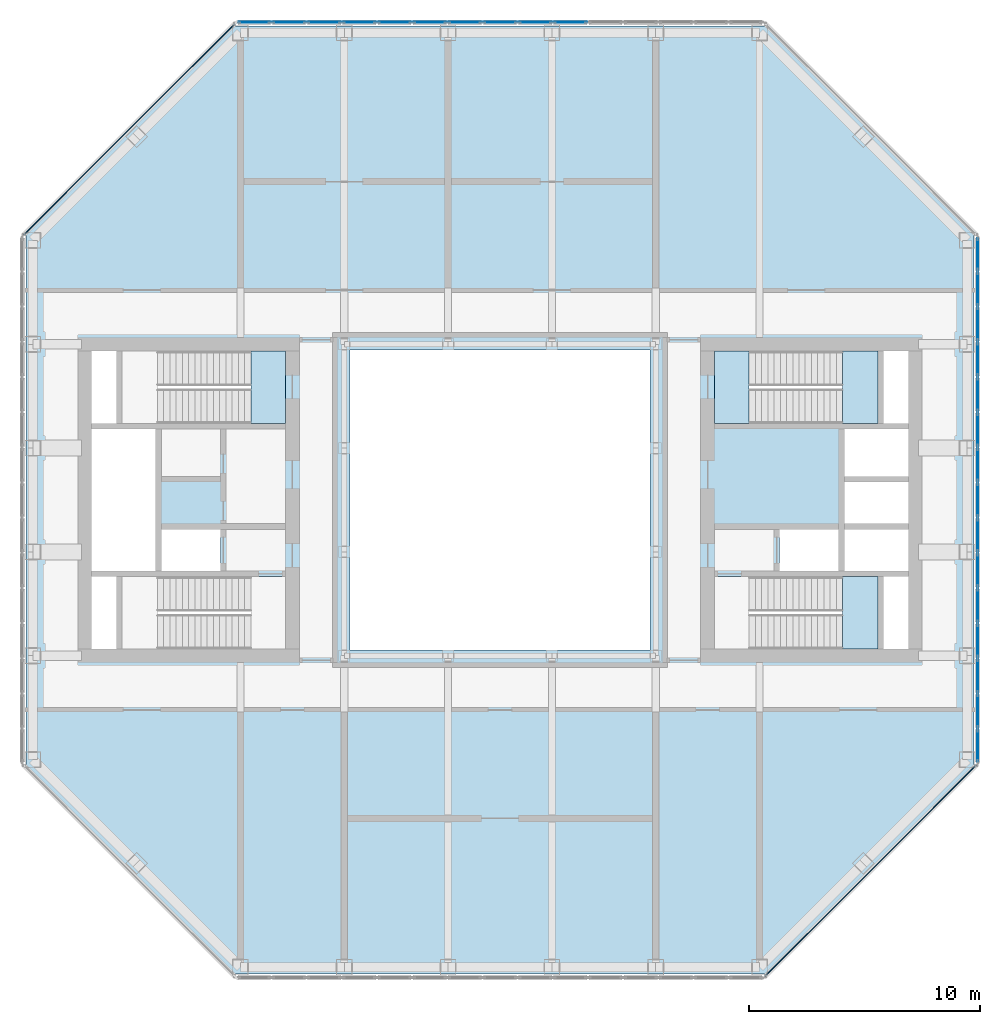
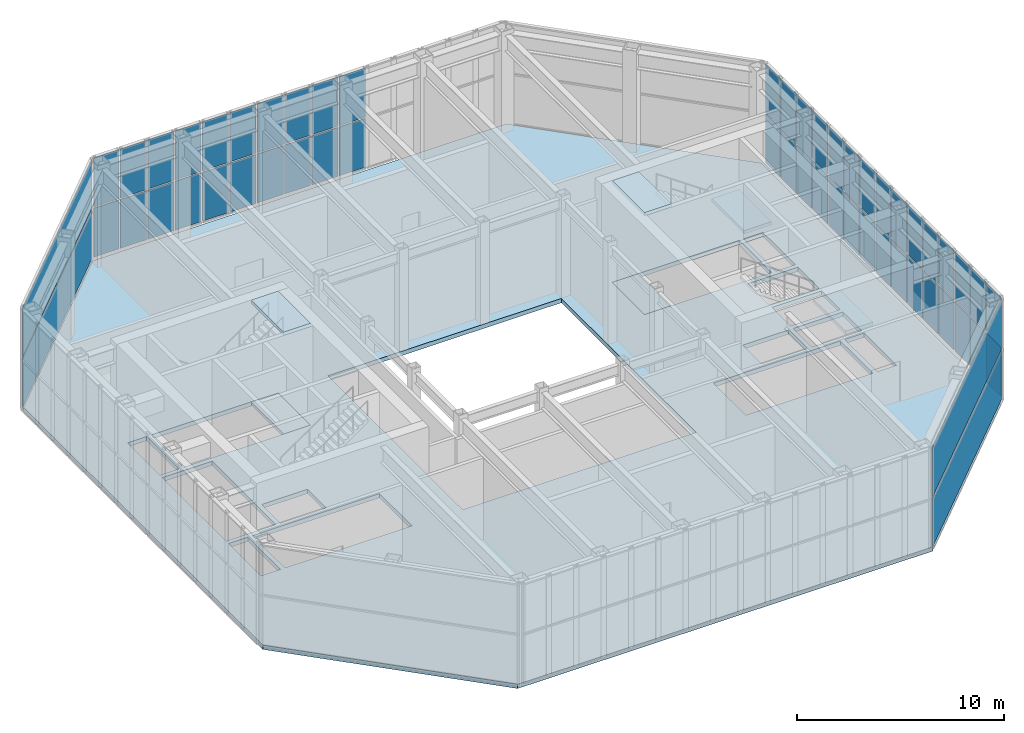
# One storey, part 8 of 12: 54 plates, 7 slabs, 7 elements without a shape of their own.
"""IFC4 building model written with IfcOpenShell, lengths in metres."""

from ifc_helpers import new_model, si_unit, direction, frame, origin, origin_2d, place, context, subcontext, project, spatial, polyline, rectangle, outline, extrude, material, layer, layer_set, type_object, element, aggregate, save


model = new_model("IFC4")

# Units and contexts
model_context = context("Model", 3, precision=1e-05, world=origin(), true_north=direction((0.0, 1.0)))
body_context = subcontext(model_context, "Body", "Model", "MODEL_VIEW")
ifc_project = project(units=[si_unit("LENGTHUNIT", "METRE"), si_unit("AREAUNIT", "SQUARE_METRE"), si_unit("VOLUMEUNIT", "CUBIC_METRE"), si_unit("PLANEANGLEUNIT", "RADIAN"), si_unit("MASSUNIT", "GRAM", prefix="KILO")], contexts=[model_context])

# Site, building, storey
site_placement = place(None, origin())
site = spatial("IfcSite", under=ifc_project, at=site_placement, CompositionType="ELEMENT")
building_placement = place(site_placement, origin())
building = spatial("IfcBuilding", under=site, at=building_placement, Name="Msasa Ring Tower", CompositionType="ELEMENT")
storey_placement = place(building_placement, frame((0.0, 0.0, 262.050048828125)))
storey = spatial("IfcBuildingStorey", under=building, at=storey_placement, Name="L68", CompositionType="ELEMENT", Elevation=262.050048828125)

# Curtain wall, plates
ifc_material_1 = material(Name="Aluminium curtain wall with clear glass", Category="aluminium")
curtain_wall_type = type_object("IfcCurtainWallType", Name="CW-L LANTERN CURTAIN WALL", PredefinedType="NOTDEFINED", material=ifc_material_1)
curtain_wall_1_placement = place(storey_placement, origin())
curtain_wall_1 = element("IfcCurtainWall", 1, at=curtain_wall_1_placement, inside=storey, type_object=curtain_wall_type, Name="Lantern curtain wall SE L68", PredefinedType="NOTDEFINED")
ifc_material_2 = material(Name="Clear laminated insulating glass unit", Category="glass")
ifc_layer_1 = layer(ifc_material_2, 0.0400390625)
ifc_layer_set_1 = layer_set([ifc_layer_1], Name="CW-L GLASS PANEL 40")
plate_type = type_object("IfcPlateType", Name="CW-L GLASS PANEL 40", PredefinedType="CURTAIN_PANEL", material=ifc_layer_set_1)
plate_1_placement = place(storey_placement, frame((16.068115234375, -16.068115234375, 0.080078125), z_axis=(0.0, 0.0, 1.0), x_axis=(0.707106781187, 0.707106781187, 0.0)))
plate_1 = element("IfcPlate", 2, at=plate_1_placement, type_object=plate_type, Name="CW-L panel 1.1", PredefinedType="CURTAIN_PANEL", context=body_context, shape_type="SweptSolid", body=[
    extrude(rectangle(XDim=12.940673828125, YDim=0.0400390625, at=origin_2d()), origin(), (0.0, 0.0, 1.0), 2.8798828125),
])
plate_2_placement = place(storey_placement, frame((16.068115234375, -16.068115234375, 3.0400390625), z_axis=(0.0, 0.0, 1.0), x_axis=(0.707106781187, 0.707106781187, 0.0)))
plate_2 = element("IfcPlate", 3, at=plate_2_placement, type_object=plate_type, Name="CW-L panel 1.2", PredefinedType="CURTAIN_PANEL", context=body_context, shape_type="SweptSolid", body=[
    extrude(rectangle(XDim=12.940673828125, YDim=0.0400390625, at=origin_2d()), origin(), (0.0, 0.0, 1.0), 2.8798828125),
])
aggregate(curtain_wall_1, [plate_1, plate_2])

curtain_wall_2_placement = place(storey_placement, origin())
curtain_wall_2 = element("IfcCurtainWall", 4, at=curtain_wall_2_placement, inside=storey, type_object=curtain_wall_type, Name="Lantern curtain wall E L68", PredefinedType="NOTDEFINED")
plate_3_placement = place(storey_placement, frame((20.699951171875, -10.654052734375, 0.080078125), z_axis=(0.0, 0.0, 1.0), x_axis=(0.0, 1.0, 0.0)))
plate_3 = element("IfcPlate", 5, at=plate_3_placement, type_object=plate_type, Name="CW-L panel 1.1", PredefinedType="CURTAIN_PANEL", context=body_context, shape_type="SweptSolid", body=[
    extrude(rectangle(XDim=1.40478515625, YDim=0.0400390625, at=origin_2d()), origin(), (0.0, 0.0, 1.0), 2.8798828125),
])
plate_4_placement = place(storey_placement, frame((20.699951171875, -10.654052734375, 3.0400390625), z_axis=(0.0, 0.0, 1.0), x_axis=(0.0, 1.0, 0.0)))
plate_4 = element("IfcPlate", 6, at=plate_4_placement, type_object=plate_type, Name="CW-L panel 1.2", PredefinedType="CURTAIN_PANEL", context=body_context, shape_type="SweptSolid", body=[
    extrude(rectangle(XDim=1.40478515625, YDim=0.0400390625, at=origin_2d()), origin(), (0.0, 0.0, 1.0), 2.8798828125),
])
plate_5_placement = place(storey_placement, frame((20.699951171875, -9.149169921875, 0.080078125), z_axis=(0.0, 0.0, 1.0), x_axis=(0.0, 1.0, 0.0)))
plate_5 = element("IfcPlate", 7, at=plate_5_placement, type_object=plate_type, Name="CW-L panel 2.1", PredefinedType="CURTAIN_PANEL", context=body_context, shape_type="SweptSolid", body=[
    extrude(rectangle(XDim=1.44482421875, YDim=0.0400390625, at=origin_2d()), origin(), (0.0, 0.0, 1.0), 2.8798828125),
])
plate_6_placement = place(storey_placement, frame((20.699951171875, -9.149169921875, 3.0400390625), z_axis=(0.0, 0.0, 1.0), x_axis=(0.0, 1.0, 0.0)))
plate_6 = element("IfcPlate", 8, at=plate_6_placement, type_object=plate_type, Name="CW-L panel 2.2", PredefinedType="CURTAIN_PANEL", context=body_context, shape_type="SweptSolid", body=[
    extrude(rectangle(XDim=1.44482421875, YDim=0.0400390625, at=origin_2d()), origin(), (0.0, 0.0, 1.0), 2.8798828125),
])
plate_7_placement = place(storey_placement, frame((20.699951171875, -7.624267578125, 0.080078125), z_axis=(0.0, 0.0, 1.0), x_axis=(0.0, 1.0, 0.0)))
plate_7 = element("IfcPlate", 9, at=plate_7_placement, type_object=plate_type, Name="CW-L panel 3.1", PredefinedType="CURTAIN_PANEL", context=body_context, shape_type="SweptSolid", body=[
    extrude(rectangle(XDim=1.44482421875, YDim=0.0400390625, at=origin_2d()), origin(), (0.0, 0.0, 1.0), 2.8798828125),
])
plate_8_placement = place(storey_placement, frame((20.699951171875, -7.624267578125, 3.0400390625), z_axis=(0.0, 0.0, 1.0), x_axis=(0.0, 1.0, 0.0)))
plate_8 = element("IfcPlate", 10, at=plate_8_placement, type_object=plate_type, Name="CW-L panel 3.2", PredefinedType="CURTAIN_PANEL", context=body_context, shape_type="SweptSolid", body=[
    extrude(rectangle(XDim=1.44482421875, YDim=0.0400390625, at=origin_2d()), origin(), (0.0, 0.0, 1.0), 2.8798828125),
])
plate_9_placement = place(storey_placement, frame((20.699951171875, -6.099365234375, 0.080078125), z_axis=(0.0, 0.0, 1.0), x_axis=(0.0, 1.0, 0.0)))
plate_9 = element("IfcPlate", 11, at=plate_9_placement, type_object=plate_type, Name="CW-L panel 4.1", PredefinedType="CURTAIN_PANEL", context=body_context, shape_type="SweptSolid", body=[
    extrude(rectangle(XDim=1.44482421875, YDim=0.0400390625, at=origin_2d()), origin(), (0.0, 0.0, 1.0), 2.8798828125),
])
plate_10_placement = place(storey_placement, frame((20.699951171875, -6.099365234375, 3.0400390625), z_axis=(0.0, 0.0, 1.0), x_axis=(0.0, 1.0, 0.0)))
plate_10 = element("IfcPlate", 12, at=plate_10_placement, type_object=plate_type, Name="CW-L panel 4.2", PredefinedType="CURTAIN_PANEL", context=body_context, shape_type="SweptSolid", body=[
    extrude(rectangle(XDim=1.44482421875, YDim=0.0400390625, at=origin_2d()), origin(), (0.0, 0.0, 1.0), 2.8798828125),
])
plate_11_placement = place(storey_placement, frame((20.699951171875, -4.574462890625, 0.080078125), z_axis=(0.0, 0.0, 1.0), x_axis=(0.0, 1.0, 0.0)))
plate_11 = element("IfcPlate", 13, at=plate_11_placement, type_object=plate_type, Name="CW-L panel 5.1", PredefinedType="CURTAIN_PANEL", context=body_context, shape_type="SweptSolid", body=[
    extrude(rectangle(XDim=1.44482421875, YDim=0.0400390625, at=origin_2d()), origin(), (0.0, 0.0, 1.0), 2.8798828125),
])
plate_12_placement = place(storey_placement, frame((20.699951171875, -4.574462890625, 3.0400390625), z_axis=(0.0, 0.0, 1.0), x_axis=(0.0, 1.0, 0.0)))
plate_12 = element("IfcPlate", 14, at=plate_12_placement, type_object=plate_type, Name="CW-L panel 5.2", PredefinedType="CURTAIN_PANEL", context=body_context, shape_type="SweptSolid", body=[
    extrude(rectangle(XDim=1.44482421875, YDim=0.0400390625, at=origin_2d()), origin(), (0.0, 0.0, 1.0), 2.8798828125),
])
plate_13_placement = place(storey_placement, frame((20.699951171875, -3.0498046875, 0.080078125), z_axis=(0.0, 0.0, 1.0), x_axis=(0.0, 1.0, 0.0)))
plate_13 = element("IfcPlate", 15, at=plate_13_placement, type_object=plate_type, Name="CW-L panel 6.1", PredefinedType="CURTAIN_PANEL", context=body_context, shape_type="SweptSolid", body=[
    extrude(rectangle(XDim=1.44482421875, YDim=0.0400390625, at=origin_2d()), origin(), (0.0, 0.0, 1.0), 2.8798828125),
])
plate_14_placement = place(storey_placement, frame((20.699951171875, -3.0498046875, 3.0400390625), z_axis=(0.0, 0.0, 1.0), x_axis=(0.0, 1.0, 0.0)))
plate_14 = element("IfcPlate", 16, at=plate_14_placement, type_object=plate_type, Name="CW-L panel 6.2", PredefinedType="CURTAIN_PANEL", context=body_context, shape_type="SweptSolid", body=[
    extrude(rectangle(XDim=1.44482421875, YDim=0.0400390625, at=origin_2d()), origin(), (0.0, 0.0, 1.0), 2.8798828125),
])
plate_15_placement = place(storey_placement, frame((20.699951171875, -1.52490234375, 0.080078125), z_axis=(0.0, 0.0, 1.0), x_axis=(0.0, 1.0, 0.0)))
plate_15 = element("IfcPlate", 17, at=plate_15_placement, type_object=plate_type, Name="CW-L panel 7.1", PredefinedType="CURTAIN_PANEL", context=body_context, shape_type="SweptSolid", body=[
    extrude(rectangle(XDim=1.44482421875, YDim=0.0400390625, at=origin_2d()), origin(), (0.0, 0.0, 1.0), 2.8798828125),
])
plate_16_placement = place(storey_placement, frame((20.699951171875, -1.52490234375, 3.0400390625), z_axis=(0.0, 0.0, 1.0), x_axis=(0.0, 1.0, 0.0)))
plate_16 = element("IfcPlate", 18, at=plate_16_placement, type_object=plate_type, Name="CW-L panel 7.2", PredefinedType="CURTAIN_PANEL", context=body_context, shape_type="SweptSolid", body=[
    extrude(rectangle(XDim=1.44482421875, YDim=0.0400390625, at=origin_2d()), origin(), (0.0, 0.0, 1.0), 2.8798828125),
])
plate_17_placement = place(storey_placement, frame((20.699951171875, 0.0, 0.080078125), z_axis=(0.0, 0.0, 1.0), x_axis=(0.0, 1.0, 0.0)))
plate_17 = element("IfcPlate", 19, at=plate_17_placement, type_object=plate_type, Name="CW-L panel 8.1", PredefinedType="CURTAIN_PANEL", context=body_context, shape_type="SweptSolid", body=[
    extrude(rectangle(XDim=1.44482421875, YDim=0.0400390625, at=origin_2d()), origin(), (0.0, 0.0, 1.0), 2.8798828125),
])
plate_18_placement = place(storey_placement, frame((20.699951171875, 0.0, 3.0400390625), z_axis=(0.0, 0.0, 1.0), x_axis=(0.0, 1.0, 0.0)))
plate_18 = element("IfcPlate", 20, at=plate_18_placement, type_object=plate_type, Name="CW-L panel 8.2", PredefinedType="CURTAIN_PANEL", context=body_context, shape_type="SweptSolid", body=[
    extrude(rectangle(XDim=1.44482421875, YDim=0.0400390625, at=origin_2d()), origin(), (0.0, 0.0, 1.0), 2.8798828125),
])
plate_19_placement = place(storey_placement, frame((20.699951171875, 1.52490234375, 0.080078125), z_axis=(0.0, 0.0, 1.0), x_axis=(0.0, 1.0, 0.0)))
plate_19 = element("IfcPlate", 21, at=plate_19_placement, type_object=plate_type, Name="CW-L panel 9.1", PredefinedType="CURTAIN_PANEL", context=body_context, shape_type="SweptSolid", body=[
    extrude(rectangle(XDim=1.44482421875, YDim=0.0400390625, at=origin_2d()), origin(), (0.0, 0.0, 1.0), 2.8798828125),
])
plate_20_placement = place(storey_placement, frame((20.699951171875, 1.52490234375, 3.0400390625), z_axis=(0.0, 0.0, 1.0), x_axis=(0.0, 1.0, 0.0)))
plate_20 = element("IfcPlate", 22, at=plate_20_placement, type_object=plate_type, Name="CW-L panel 9.2", PredefinedType="CURTAIN_PANEL", context=body_context, shape_type="SweptSolid", body=[
    extrude(rectangle(XDim=1.44482421875, YDim=0.0400390625, at=origin_2d()), origin(), (0.0, 0.0, 1.0), 2.8798828125),
])
plate_21_placement = place(storey_placement, frame((20.699951171875, 3.0498046875, 0.080078125), z_axis=(0.0, 0.0, 1.0), x_axis=(0.0, 1.0, 0.0)))
plate_21 = element("IfcPlate", 23, at=plate_21_placement, type_object=plate_type, Name="CW-L panel 10.1", PredefinedType="CURTAIN_PANEL", context=body_context, shape_type="SweptSolid", body=[
    extrude(rectangle(XDim=1.44482421875, YDim=0.0400390625, at=origin_2d()), origin(), (0.0, 0.0, 1.0), 2.8798828125),
])
plate_22_placement = place(storey_placement, frame((20.699951171875, 3.0498046875, 3.0400390625), z_axis=(0.0, 0.0, 1.0), x_axis=(0.0, 1.0, 0.0)))
plate_22 = element("IfcPlate", 24, at=plate_22_placement, type_object=plate_type, Name="CW-L panel 10.2", PredefinedType="CURTAIN_PANEL", context=body_context, shape_type="SweptSolid", body=[
    extrude(rectangle(XDim=1.44482421875, YDim=0.0400390625, at=origin_2d()), origin(), (0.0, 0.0, 1.0), 2.8798828125),
])
plate_23_placement = place(storey_placement, frame((20.699951171875, 4.574462890625, 0.080078125), z_axis=(0.0, 0.0, 1.0), x_axis=(0.0, 1.0, 0.0)))
plate_23 = element("IfcPlate", 25, at=plate_23_placement, type_object=plate_type, Name="CW-L panel 11.1", PredefinedType="CURTAIN_PANEL", context=body_context, shape_type="SweptSolid", body=[
    extrude(rectangle(XDim=1.44482421875, YDim=0.0400390625, at=origin_2d()), origin(), (0.0, 0.0, 1.0), 2.8798828125),
])
plate_24_placement = place(storey_placement, frame((20.699951171875, 4.574462890625, 3.0400390625), z_axis=(0.0, 0.0, 1.0), x_axis=(0.0, 1.0, 0.0)))
plate_24 = element("IfcPlate", 26, at=plate_24_placement, type_object=plate_type, Name="CW-L panel 11.2", PredefinedType="CURTAIN_PANEL", context=body_context, shape_type="SweptSolid", body=[
    extrude(rectangle(XDim=1.44482421875, YDim=0.0400390625, at=origin_2d()), origin(), (0.0, 0.0, 1.0), 2.8798828125),
])
plate_25_placement = place(storey_placement, frame((20.699951171875, 6.099365234375, 0.080078125), z_axis=(0.0, 0.0, 1.0), x_axis=(0.0, 1.0, 0.0)))
plate_25 = element("IfcPlate", 27, at=plate_25_placement, type_object=plate_type, Name="CW-L panel 12.1", PredefinedType="CURTAIN_PANEL", context=body_context, shape_type="SweptSolid", body=[
    extrude(rectangle(XDim=1.44482421875, YDim=0.0400390625, at=origin_2d()), origin(), (0.0, 0.0, 1.0), 2.8798828125),
])
plate_26_placement = place(storey_placement, frame((20.699951171875, 6.099365234375, 3.0400390625), z_axis=(0.0, 0.0, 1.0), x_axis=(0.0, 1.0, 0.0)))
plate_26 = element("IfcPlate", 28, at=plate_26_placement, type_object=plate_type, Name="CW-L panel 12.2", PredefinedType="CURTAIN_PANEL", context=body_context, shape_type="SweptSolid", body=[
    extrude(rectangle(XDim=1.44482421875, YDim=0.0400390625, at=origin_2d()), origin(), (0.0, 0.0, 1.0), 2.8798828125),
])
plate_27_placement = place(storey_placement, frame((20.699951171875, 7.624267578125, 0.080078125), z_axis=(0.0, 0.0, 1.0), x_axis=(0.0, 1.0, 0.0)))
plate_27 = element("IfcPlate", 29, at=plate_27_placement, type_object=plate_type, Name="CW-L panel 13.1", PredefinedType="CURTAIN_PANEL", context=body_context, shape_type="SweptSolid", body=[
    extrude(rectangle(XDim=1.44482421875, YDim=0.0400390625, at=origin_2d()), origin(), (0.0, 0.0, 1.0), 2.8798828125),
])
plate_28_placement = place(storey_placement, frame((20.699951171875, 7.624267578125, 3.0400390625), z_axis=(0.0, 0.0, 1.0), x_axis=(0.0, 1.0, 0.0)))
plate_28 = element("IfcPlate", 30, at=plate_28_placement, type_object=plate_type, Name="CW-L panel 13.2", PredefinedType="CURTAIN_PANEL", context=body_context, shape_type="SweptSolid", body=[
    extrude(rectangle(XDim=1.44482421875, YDim=0.0400390625, at=origin_2d()), origin(), (0.0, 0.0, 1.0), 2.8798828125),
])
plate_29_placement = place(storey_placement, frame((20.699951171875, 9.149169921875, 0.080078125), z_axis=(0.0, 0.0, 1.0), x_axis=(0.0, 1.0, 0.0)))
plate_29 = element("IfcPlate", 31, at=plate_29_placement, type_object=plate_type, Name="CW-L panel 14.1", PredefinedType="CURTAIN_PANEL", context=body_context, shape_type="SweptSolid", body=[
    extrude(rectangle(XDim=1.44482421875, YDim=0.0400390625, at=origin_2d()), origin(), (0.0, 0.0, 1.0), 2.8798828125),
])
plate_30_placement = place(storey_placement, frame((20.699951171875, 9.149169921875, 3.0400390625), z_axis=(0.0, 0.0, 1.0), x_axis=(0.0, 1.0, 0.0)))
plate_30 = element("IfcPlate", 32, at=plate_30_placement, type_object=plate_type, Name="CW-L panel 14.2", PredefinedType="CURTAIN_PANEL", context=body_context, shape_type="SweptSolid", body=[
    extrude(rectangle(XDim=1.44482421875, YDim=0.0400390625, at=origin_2d()), origin(), (0.0, 0.0, 1.0), 2.8798828125),
])
plate_31_placement = place(storey_placement, frame((20.699951171875, 10.654052734375, 0.080078125), z_axis=(0.0, 0.0, 1.0), x_axis=(0.0, 1.0, 0.0)))
plate_31 = element("IfcPlate", 33, at=plate_31_placement, type_object=plate_type, Name="CW-L panel 15.1", PredefinedType="CURTAIN_PANEL", context=body_context, shape_type="SweptSolid", body=[
    extrude(rectangle(XDim=1.40478515625, YDim=0.0400390625, at=origin_2d()), origin(), (0.0, 0.0, 1.0), 2.8798828125),
])
plate_32_placement = place(storey_placement, frame((20.699951171875, 10.654052734375, 3.0400390625), z_axis=(0.0, 0.0, 1.0), x_axis=(0.0, 1.0, 0.0)))
plate_32 = element("IfcPlate", 34, at=plate_32_placement, type_object=plate_type, Name="CW-L panel 15.2", PredefinedType="CURTAIN_PANEL", context=body_context, shape_type="SweptSolid", body=[
    extrude(rectangle(XDim=1.40478515625, YDim=0.0400390625, at=origin_2d()), origin(), (0.0, 0.0, 1.0), 2.8798828125),
])
aggregate(curtain_wall_2, [plate_3, plate_4, plate_5, plate_6, plate_7, plate_8, plate_9, plate_10, plate_11, plate_12, plate_13, plate_14, plate_15, plate_16, plate_17, plate_18, plate_19, plate_20, plate_21, plate_22, plate_23, plate_24, plate_25, plate_26, plate_27, plate_28, plate_29, plate_30, plate_31, plate_32])

curtain_wall_3_placement = place(storey_placement, origin())
curtain_wall_3 = element("IfcCurtainWall", 35, at=curtain_wall_3_placement, inside=storey, type_object=curtain_wall_type, Name="Lantern curtain wall N L68", PredefinedType="NOTDEFINED")
plate_33_placement = place(storey_placement, frame((3.0498046875, 20.699951171875, 0.080078125), z_axis=(0.0, 0.0, 1.0), x_axis=(-1.0, 0.0, 0.0)))
plate_33 = element("IfcPlate", 36, at=plate_33_placement, type_object=plate_type, Name="CW-L panel 6.1", PredefinedType="CURTAIN_PANEL", context=body_context, shape_type="SweptSolid", body=[
    extrude(rectangle(XDim=1.44482421875, YDim=0.0400390625, at=origin_2d()), origin(), (0.0, 0.0, 1.0), 2.8798828125),
])
plate_34_placement = place(storey_placement, frame((3.0498046875, 20.699951171875, 3.0400390625), z_axis=(0.0, 0.0, 1.0), x_axis=(-1.0, 0.0, 0.0)))
plate_34 = element("IfcPlate", 37, at=plate_34_placement, type_object=plate_type, Name="CW-L panel 6.2", PredefinedType="CURTAIN_PANEL", context=body_context, shape_type="SweptSolid", body=[
    extrude(rectangle(XDim=1.44482421875, YDim=0.0400390625, at=origin_2d()), origin(), (0.0, 0.0, 1.0), 2.8798828125),
])
plate_35_placement = place(storey_placement, frame((1.52490234375, 20.699951171875, 0.080078125), z_axis=(0.0, 0.0, 1.0), x_axis=(-1.0, 0.0, 0.0)))
plate_35 = element("IfcPlate", 38, at=plate_35_placement, type_object=plate_type, Name="CW-L panel 7.1", PredefinedType="CURTAIN_PANEL", context=body_context, shape_type="SweptSolid", body=[
    extrude(rectangle(XDim=1.44482421875, YDim=0.0400390625, at=origin_2d()), origin(), (0.0, 0.0, 1.0), 2.8798828125),
])
plate_36_placement = place(storey_placement, frame((1.52490234375, 20.699951171875, 3.0400390625), z_axis=(0.0, 0.0, 1.0), x_axis=(-1.0, 0.0, 0.0)))
plate_36 = element("IfcPlate", 39, at=plate_36_placement, type_object=plate_type, Name="CW-L panel 7.2", PredefinedType="CURTAIN_PANEL", context=body_context, shape_type="SweptSolid", body=[
    extrude(rectangle(XDim=1.44482421875, YDim=0.0400390625, at=origin_2d()), origin(), (0.0, 0.0, 1.0), 2.8798828125),
])
plate_37_placement = place(storey_placement, frame((0.0, 20.699951171875, 0.080078125), z_axis=(0.0, 0.0, 1.0), x_axis=(-1.0, 0.0, 0.0)))
plate_37 = element("IfcPlate", 40, at=plate_37_placement, type_object=plate_type, Name="CW-L panel 8.1", PredefinedType="CURTAIN_PANEL", context=body_context, shape_type="SweptSolid", body=[
    extrude(rectangle(XDim=1.44482421875, YDim=0.0400390625, at=origin_2d()), origin(), (0.0, 0.0, 1.0), 2.8798828125),
])
plate_38_placement = place(storey_placement, frame((0.0, 20.699951171875, 3.0400390625), z_axis=(0.0, 0.0, 1.0), x_axis=(-1.0, 0.0, 0.0)))
plate_38 = element("IfcPlate", 41, at=plate_38_placement, type_object=plate_type, Name="CW-L panel 8.2", PredefinedType="CURTAIN_PANEL", context=body_context, shape_type="SweptSolid", body=[
    extrude(rectangle(XDim=1.44482421875, YDim=0.0400390625, at=origin_2d()), origin(), (0.0, 0.0, 1.0), 2.8798828125),
])
plate_39_placement = place(storey_placement, frame((-1.52490234375, 20.699951171875, 0.080078125), z_axis=(0.0, 0.0, 1.0), x_axis=(-1.0, 0.0, 0.0)))
plate_39 = element("IfcPlate", 42, at=plate_39_placement, type_object=plate_type, Name="CW-L panel 9.1", PredefinedType="CURTAIN_PANEL", context=body_context, shape_type="SweptSolid", body=[
    extrude(rectangle(XDim=1.44482421875, YDim=0.0400390625, at=origin_2d()), origin(), (0.0, 0.0, 1.0), 2.8798828125),
])
plate_40_placement = place(storey_placement, frame((-1.52490234375, 20.699951171875, 3.0400390625), z_axis=(0.0, 0.0, 1.0), x_axis=(-1.0, 0.0, 0.0)))
plate_40 = element("IfcPlate", 43, at=plate_40_placement, type_object=plate_type, Name="CW-L panel 9.2", PredefinedType="CURTAIN_PANEL", context=body_context, shape_type="SweptSolid", body=[
    extrude(rectangle(XDim=1.44482421875, YDim=0.0400390625, at=origin_2d()), origin(), (0.0, 0.0, 1.0), 2.8798828125),
])
plate_41_placement = place(storey_placement, frame((-3.0498046875, 20.699951171875, 0.080078125), z_axis=(0.0, 0.0, 1.0), x_axis=(-1.0, 0.0, 0.0)))
plate_41 = element("IfcPlate", 44, at=plate_41_placement, type_object=plate_type, Name="CW-L panel 10.1", PredefinedType="CURTAIN_PANEL", context=body_context, shape_type="SweptSolid", body=[
    extrude(rectangle(XDim=1.44482421875, YDim=0.0400390625, at=origin_2d()), origin(), (0.0, 0.0, 1.0), 2.8798828125),
])
plate_42_placement = place(storey_placement, frame((-3.0498046875, 20.699951171875, 3.0400390625), z_axis=(0.0, 0.0, 1.0), x_axis=(-1.0, 0.0, 0.0)))
plate_42 = element("IfcPlate", 45, at=plate_42_placement, type_object=plate_type, Name="CW-L panel 10.2", PredefinedType="CURTAIN_PANEL", context=body_context, shape_type="SweptSolid", body=[
    extrude(rectangle(XDim=1.44482421875, YDim=0.0400390625, at=origin_2d()), origin(), (0.0, 0.0, 1.0), 2.8798828125),
])
plate_43_placement = place(storey_placement, frame((-4.574462890625, 20.699951171875, 0.080078125), z_axis=(0.0, 0.0, 1.0), x_axis=(-1.0, 0.0, 0.0)))
plate_43 = element("IfcPlate", 46, at=plate_43_placement, type_object=plate_type, Name="CW-L panel 11.1", PredefinedType="CURTAIN_PANEL", context=body_context, shape_type="SweptSolid", body=[
    extrude(rectangle(XDim=1.44482421875, YDim=0.0400390625, at=origin_2d()), origin(), (0.0, 0.0, 1.0), 2.8798828125),
])
plate_44_placement = place(storey_placement, frame((-4.574462890625, 20.699951171875, 3.0400390625), z_axis=(0.0, 0.0, 1.0), x_axis=(-1.0, 0.0, 0.0)))
plate_44 = element("IfcPlate", 47, at=plate_44_placement, type_object=plate_type, Name="CW-L panel 11.2", PredefinedType="CURTAIN_PANEL", context=body_context, shape_type="SweptSolid", body=[
    extrude(rectangle(XDim=1.44482421875, YDim=0.0400390625, at=origin_2d()), origin(), (0.0, 0.0, 1.0), 2.8798828125),
])
plate_45_placement = place(storey_placement, frame((-6.099365234375, 20.699951171875, 0.080078125), z_axis=(0.0, 0.0, 1.0), x_axis=(-1.0, 0.0, 0.0)))
plate_45 = element("IfcPlate", 48, at=plate_45_placement, type_object=plate_type, Name="CW-L panel 12.1", PredefinedType="CURTAIN_PANEL", context=body_context, shape_type="SweptSolid", body=[
    extrude(rectangle(XDim=1.44482421875, YDim=0.0400390625, at=origin_2d()), origin(), (0.0, 0.0, 1.0), 2.8798828125),
])
plate_46_placement = place(storey_placement, frame((-6.099365234375, 20.699951171875, 3.0400390625), z_axis=(0.0, 0.0, 1.0), x_axis=(-1.0, 0.0, 0.0)))
plate_46 = element("IfcPlate", 49, at=plate_46_placement, type_object=plate_type, Name="CW-L panel 12.2", PredefinedType="CURTAIN_PANEL", context=body_context, shape_type="SweptSolid", body=[
    extrude(rectangle(XDim=1.44482421875, YDim=0.0400390625, at=origin_2d()), origin(), (0.0, 0.0, 1.0), 2.8798828125),
])
plate_47_placement = place(storey_placement, frame((-7.624267578125, 20.699951171875, 0.080078125), z_axis=(0.0, 0.0, 1.0), x_axis=(-1.0, 0.0, 0.0)))
plate_47 = element("IfcPlate", 50, at=plate_47_placement, type_object=plate_type, Name="CW-L panel 13.1", PredefinedType="CURTAIN_PANEL", context=body_context, shape_type="SweptSolid", body=[
    extrude(rectangle(XDim=1.44482421875, YDim=0.0400390625, at=origin_2d()), origin(), (0.0, 0.0, 1.0), 2.8798828125),
])
plate_48_placement = place(storey_placement, frame((-7.624267578125, 20.699951171875, 3.0400390625), z_axis=(0.0, 0.0, 1.0), x_axis=(-1.0, 0.0, 0.0)))
plate_48 = element("IfcPlate", 51, at=plate_48_placement, type_object=plate_type, Name="CW-L panel 13.2", PredefinedType="CURTAIN_PANEL", context=body_context, shape_type="SweptSolid", body=[
    extrude(rectangle(XDim=1.44482421875, YDim=0.0400390625, at=origin_2d()), origin(), (0.0, 0.0, 1.0), 2.8798828125),
])
plate_49_placement = place(storey_placement, frame((-9.149169921875, 20.699951171875, 0.080078125), z_axis=(0.0, 0.0, 1.0), x_axis=(-1.0, 0.0, 0.0)))
plate_49 = element("IfcPlate", 52, at=plate_49_placement, type_object=plate_type, Name="CW-L panel 14.1", PredefinedType="CURTAIN_PANEL", context=body_context, shape_type="SweptSolid", body=[
    extrude(rectangle(XDim=1.44482421875, YDim=0.0400390625, at=origin_2d()), origin(), (0.0, 0.0, 1.0), 2.8798828125),
])
plate_50_placement = place(storey_placement, frame((-9.149169921875, 20.699951171875, 3.0400390625), z_axis=(0.0, 0.0, 1.0), x_axis=(-1.0, 0.0, 0.0)))
plate_50 = element("IfcPlate", 53, at=plate_50_placement, type_object=plate_type, Name="CW-L panel 14.2", PredefinedType="CURTAIN_PANEL", context=body_context, shape_type="SweptSolid", body=[
    extrude(rectangle(XDim=1.44482421875, YDim=0.0400390625, at=origin_2d()), origin(), (0.0, 0.0, 1.0), 2.8798828125),
])
plate_51_placement = place(storey_placement, frame((-10.654052734375, 20.699951171875, 0.080078125), z_axis=(0.0, 0.0, 1.0), x_axis=(-1.0, 0.0, 0.0)))
plate_51 = element("IfcPlate", 54, at=plate_51_placement, type_object=plate_type, Name="CW-L panel 15.1", PredefinedType="CURTAIN_PANEL", context=body_context, shape_type="SweptSolid", body=[
    extrude(rectangle(XDim=1.40478515625, YDim=0.0400390625, at=origin_2d()), origin(), (0.0, 0.0, 1.0), 2.8798828125),
])
plate_52_placement = place(storey_placement, frame((-10.654052734375, 20.699951171875, 3.0400390625), z_axis=(0.0, 0.0, 1.0), x_axis=(-1.0, 0.0, 0.0)))
plate_52 = element("IfcPlate", 55, at=plate_52_placement, type_object=plate_type, Name="CW-L panel 15.2", PredefinedType="CURTAIN_PANEL", context=body_context, shape_type="SweptSolid", body=[
    extrude(rectangle(XDim=1.40478515625, YDim=0.0400390625, at=origin_2d()), origin(), (0.0, 0.0, 1.0), 2.8798828125),
])
aggregate(curtain_wall_3, [plate_33, plate_34, plate_35, plate_36, plate_37, plate_38, plate_39, plate_40, plate_41, plate_42, plate_43, plate_44, plate_45, plate_46, plate_47, plate_48, plate_49, plate_50, plate_51, plate_52])

curtain_wall_4_placement = place(storey_placement, origin())
curtain_wall_4 = element("IfcCurtainWall", 56, at=curtain_wall_4_placement, inside=storey, type_object=curtain_wall_type, Name="Lantern curtain wall NW L68", PredefinedType="NOTDEFINED")
plate_53_placement = place(storey_placement, frame((-16.068115234375, 16.068115234375, 0.080078125), z_axis=(0.0, 0.0, 1.0), x_axis=(-0.707106781187, -0.707106781187, 0.0)))
plate_53 = element("IfcPlate", 57, at=plate_53_placement, type_object=plate_type, Name="CW-L panel 1.1", PredefinedType="CURTAIN_PANEL", context=body_context, shape_type="SweptSolid", body=[
    extrude(rectangle(XDim=12.940673828125, YDim=0.0400390625, at=origin_2d()), origin(), (0.0, 0.0, 1.0), 2.8798828125),
])
plate_54_placement = place(storey_placement, frame((-16.068115234375, 16.068115234375, 3.0400390625), z_axis=(0.0, 0.0, 1.0), x_axis=(-0.707106781187, -0.707106781187, 0.0)))
plate_54 = element("IfcPlate", 58, at=plate_54_placement, type_object=plate_type, Name="CW-L panel 1.2", PredefinedType="CURTAIN_PANEL", context=body_context, shape_type="SweptSolid", body=[
    extrude(rectangle(XDim=12.940673828125, YDim=0.0400390625, at=origin_2d()), origin(), (0.0, 0.0, 1.0), 2.8798828125),
])
aggregate(curtain_wall_4, [plate_53, plate_54])

# Stair, slab
ifc_material_3 = material(Name="Concrete C40/50", Category="concrete")
stair_type = type_object("IfcStairType", Name="STC CORE STAIR 32 RISERS 187.5", PredefinedType="HALF_TURN_STAIR", material=ifc_material_3)
stair_1_placement = place(storey_placement, origin())
stair_1 = element("IfcStair", 59, at=stair_1_placement, inside=storey, type_object=stair_type, Name="Core stair SEA L68", PredefinedType="HALF_TURN_STAIR")
ifc_material_4 = material(Name="Concrete C40/50", Category="concrete")
ifc_layer_2 = layer(ifc_material_4, 0.199951171875)
ifc_layer_set_2 = layer_set([ifc_layer_2], Name="LD1 CORE STAIR LANDING 200")
slab_type_1 = type_object("IfcSlabType", Name="LD1 CORE STAIR LANDING 200", PredefinedType="LANDING", material=ifc_layer_set_2)
slab_1_placement = place(storey_placement, frame((0.0, 0.0, 2.800048828125)))
slab_1 = element("IfcSlab", 60, at=slab_1_placement, type_object=slab_type_1, Name="SEA landing 2", PredefinedType="LANDING", context=body_context, shape_type="SweptSolid", body=[
    extrude(outline(polyline([(14.85009765625, -6.449951171875), (16.375, -6.449951171875), (16.375, -3.324951171875), (14.85009765625, -3.324951171875), (14.85009765625, -6.449951171875)])), origin(), (0.0, 0.0, 1.0), 0.199951171875),
])
aggregate(stair_1, [slab_1])

# Stair, slabs
stair_2_placement = place(storey_placement, origin())
stair_2 = element("IfcStair", 61, at=stair_2_placement, inside=storey, type_object=stair_type, Name="Core stair SEB L68", PredefinedType="HALF_TURN_STAIR")
slab_2_placement = place(storey_placement, frame((0.0, 0.0, -0.199951171875)))
slab_2 = element("IfcSlab", 62, at=slab_2_placement, type_object=slab_type_1, Name="SEB landing 1", PredefinedType="LANDING", context=body_context, shape_type="SweptSolid", body=[
    extrude(outline(polyline([(9.300048828125, 3.324951171875), (10.800048828125, 3.324951171875), (10.800048828125, 6.449951171875), (9.300048828125, 6.449951171875), (9.300048828125, 3.324951171875)])), origin(), (0.0, 0.0, 1.0), 0.199951171875),
])
slab_3_placement = place(storey_placement, frame((0.0, 0.0, 2.800048828125)))
slab_3 = element("IfcSlab", 63, at=slab_3_placement, type_object=slab_type_1, Name="SEB landing 2", PredefinedType="LANDING", context=body_context, shape_type="SweptSolid", body=[
    extrude(outline(polyline([(14.85009765625, 3.324951171875), (16.375, 3.324951171875), (16.375, 6.449951171875), (14.85009765625, 6.449951171875), (14.85009765625, 3.324951171875)])), origin(), (0.0, 0.0, 1.0), 0.199951171875),
])
slab_4_placement = place(storey_placement, frame((0.0, 0.0, 5.800048828125)))
slab_4 = element("IfcSlab", 64, at=slab_4_placement, type_object=slab_type_1, Name="SEB landing 3", PredefinedType="LANDING", context=body_context, shape_type="SweptSolid", body=[
    extrude(outline(polyline([(9.300048828125, 3.324951171875), (10.800048828125, 3.324951171875), (10.800048828125, 6.449951171875), (9.300048828125, 6.449951171875), (9.300048828125, 3.324951171875)])), origin(), (0.0, 0.0, 1.0), 0.199951171875),
])
aggregate(stair_2, [slab_2, slab_3, slab_4])

stair_3_placement = place(storey_placement, origin())
stair_3 = element("IfcStair", 65, at=stair_3_placement, inside=storey, type_object=stair_type, Name="Core stair SWB L68", PredefinedType="HALF_TURN_STAIR")
slab_5_placement = place(storey_placement, frame((0.0, 0.0, -0.199951171875)))
slab_5 = element("IfcSlab", 66, at=slab_5_placement, type_object=slab_type_1, Name="SWB landing 1", PredefinedType="LANDING", context=body_context, shape_type="SweptSolid", body=[
    extrude(outline(polyline([(-10.800048828125, 3.324951171875), (-9.300048828125, 3.324951171875), (-9.300048828125, 6.449951171875), (-10.800048828125, 6.449951171875), (-10.800048828125, 3.324951171875)])), origin(), (0.0, 0.0, 1.0), 0.199951171875),
])
slab_6_placement = place(storey_placement, frame((0.0, 0.0, 5.800048828125)))
slab_6 = element("IfcSlab", 67, at=slab_6_placement, type_object=slab_type_1, Name="SWB landing 3", PredefinedType="LANDING", context=body_context, shape_type="SweptSolid", body=[
    extrude(outline(polyline([(-10.800048828125, 3.324951171875), (-9.300048828125, 3.324951171875), (-9.300048828125, 6.449951171875), (-10.800048828125, 6.449951171875), (-10.800048828125, 3.324951171875)])), origin(), (0.0, 0.0, 1.0), 0.199951171875),
])
aggregate(stair_3, [slab_5, slab_6])

# Slab
ifc_material_5 = material(Name="Concrete C40/50", Category="concrete")
ifc_layer_3 = layer(ifc_material_5, 0.25)
ifc_layer_set_3 = layer_set([ifc_layer_3], Name="S10 LANTERN PLANT FLOOR 250")
slab_type_2 = type_object("IfcSlabType", Name="S10 LANTERN PLANT FLOOR 250", PredefinedType="FLOOR", material=ifc_layer_set_3)
slab_7_placement = place(storey_placement, frame((0.0, 0.0, -0.25)))
element("IfcSlab", 68, at=slab_7_placement, inside=storey, type_object=slab_type_2, Name="Floor slab L68", PredefinedType="FLOOR", context=body_context, shape_type="SweptSolid", body=[
    extrude(outline(polyline([(-11.550048828125, -20.550048828125), (11.550048828125, -20.550048828125), (20.550048828125, -11.550048828125), (20.550048828125, 11.550048828125), (11.550048828125, 20.550048828125), (-11.550048828125, 20.550048828125), (-20.550048828125, 11.550048828125), (-20.550048828125, -11.550048828125), (-11.550048828125, -20.550048828125)]), holes=[polyline([(-6.5, -6.5), (6.5, -6.5), (6.5, 6.5), (-6.5, 6.5), (-6.5, -6.5)]), polyline([(9.300048828125, -6.449951171875), (16.375, -6.449951171875), (16.375, -3.324951171875), (9.300048828125, -3.324951171875), (9.300048828125, -6.449951171875)]), polyline([(9.300048828125, 3.324951171875), (16.375, 3.324951171875), (16.375, 6.449951171875), (9.300048828125, 6.449951171875), (9.300048828125, 3.324951171875)]), polyline([(12.125, -3.074951171875), (14.675048828125, -3.074951171875), (14.675048828125, -1.27490234375), (12.125, -1.27490234375), (12.125, -3.074951171875)]), polyline([(16.625, -6.449951171875), (17.699951171875, -6.449951171875), (17.699951171875, -3.324951171875), (16.625, -3.324951171875), (16.625, -6.449951171875)]), polyline([(16.625, 3.324951171875), (17.699951171875, 3.324951171875), (17.699951171875, 6.449951171875), (16.625, 6.449951171875), (16.625, 3.324951171875)]), polyline([(14.925048828125, -3.074951171875), (17.699951171875, -3.074951171875), (17.699951171875, -1.27490234375), (14.925048828125, -1.27490234375), (14.925048828125, -3.074951171875)]), polyline([(14.925048828125, -1.02490234375), (17.699951171875, -1.02490234375), (17.699951171875, 0.77490234375), (14.925048828125, 0.77490234375), (14.925048828125, -1.02490234375)]), polyline([(14.925048828125, 1.02490234375), (17.699951171875, 1.02490234375), (17.699951171875, 3.074951171875), (14.925048828125, 3.074951171875), (14.925048828125, 1.02490234375)]), polyline([(-16.375, -6.449951171875), (-9.300048828125, -6.449951171875), (-9.300048828125, -3.324951171875), (-16.375, -3.324951171875), (-16.375, -6.449951171875)]), polyline([(-16.375, 3.324951171875), (-9.300048828125, 3.324951171875), (-9.300048828125, 6.449951171875), (-16.375, 6.449951171875), (-16.375, 3.324951171875)]), polyline([(-14.675048828125, -3.074951171875), (-12.125, -3.074951171875), (-12.125, -1.27490234375), (-14.675048828125, -1.27490234375), (-14.675048828125, -3.074951171875)]), polyline([(-17.699951171875, -6.449951171875), (-16.625, -6.449951171875), (-16.625, -3.324951171875), (-17.699951171875, -3.324951171875), (-17.699951171875, -6.449951171875)]), polyline([(-17.699951171875, 3.324951171875), (-16.625, 3.324951171875), (-16.625, 6.449951171875), (-17.699951171875, 6.449951171875), (-17.699951171875, 3.324951171875)]), polyline([(-17.699951171875, -3.074951171875), (-14.925048828125, -3.074951171875), (-14.925048828125, 3.074951171875), (-17.699951171875, 3.074951171875), (-17.699951171875, -3.074951171875)])]), origin(), (0.0, 0.0, 1.0), 0.25),
])

save(model, "model.ifc")
